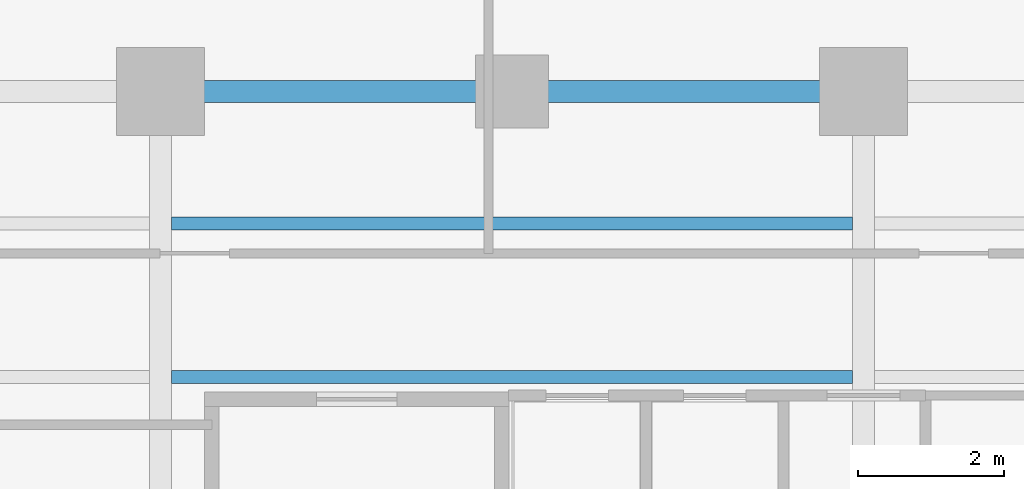
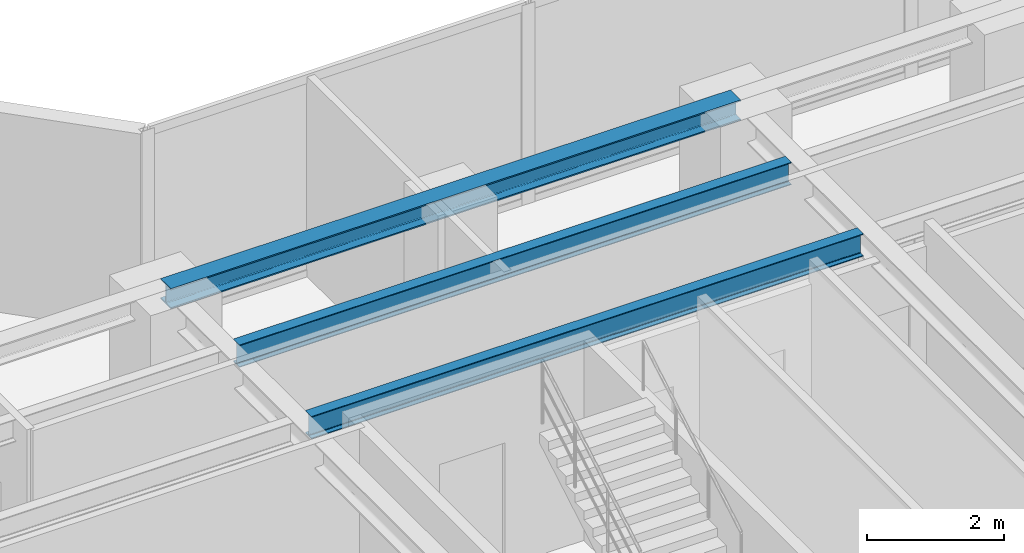
# One storey, part 5 of 26: 3 beams.
"""IFC4 building model written with IfcOpenShell, lengths in metres."""

from ifc_helpers import new_model, si_unit, direction, frame, origin, origin_2d, place, context, subcontext, project, spatial, i_section, extrude, material, material_profile, profile_set, type_object, element, save


model = new_model("IFC4")

# Units and contexts
model_context = context("Model", 3, precision=1e-05, world=origin(), true_north=direction((0.0, 1.0)))
body_context = subcontext(model_context, "Body", "Model", "MODEL_VIEW")
ifc_project = project(units=[si_unit("LENGTHUNIT", "METRE"), si_unit("AREAUNIT", "SQUARE_METRE"), si_unit("VOLUMEUNIT", "CUBIC_METRE"), si_unit("PLANEANGLEUNIT", "RADIAN"), si_unit("MASSUNIT", "GRAM", prefix="KILO")], contexts=[model_context])

# Site, building, storey
site_placement = place(None, origin())
site = spatial("IfcSite", under=ifc_project, at=site_placement, CompositionType="ELEMENT")
building_placement = place(site_placement, origin())
building = spatial("IfcBuilding", under=site, at=building_placement, Name="Kolvaren Waterfront Exchange", CompositionType="ELEMENT")
storey_placement = place(building_placement, frame((0.0, 0.0, 165.199951171875)))
storey = spatial("IfcBuildingStorey", under=building, at=storey_placement, Name="L42", CompositionType="ELEMENT", Elevation=165.199951171875)

# Beams
ifc_material = material(Name="Steel S355", Category="steel")
ifc_material_profile_1 = material_profile(ifc_material, i_section(OverallWidth=0.300048828125, OverallDepth=0.360107421875, WebThickness=0.012451171875, FlangeThickness=0.0224609375, FilletRadius=0.027099609375, at=origin_2d()), Name="HEB360")
ifc_profile_set_1 = profile_set([ifc_material_profile_1], Name="Steel S355")
beam_type_1 = type_object("IfcBeamType", Name="STR-BM-HEB360", PredefinedType="SPANDREL", material=ifc_profile_set_1)
beam_placement = place(storey_placement, frame((27.199951171875, 17.39990234375, 3.380126953125), z_axis=(1.0, 0.0, 0.0), x_axis=(0.0, 1.0, 0.0)))
element("IfcBeam", 1, at=beam_placement, inside=storey, type_object=beam_type_1, Name="L42 east-arm spandrel N2", PredefinedType="SPANDREL", context=body_context, shape_type="SweptSolid", body=[
    extrude(i_section(OverallWidth=0.300048828125, OverallDepth=0.360107421875, WebThickness=0.012451171875, FlangeThickness=0.0224609375, FilletRadius=0.027099609375, at=origin_2d()), origin(), (0.0, 0.0, 1.0), 9.60009765625),
])
ifc_material_profile_2 = material_profile(ifc_material, i_section(OverallWidth=0.179931640625, OverallDepth=0.39990234375, WebThickness=0.008544921875, FlangeThickness=0.013427734375, FilletRadius=0.02099609375, at=origin_2d()), Name="IPE400")
ifc_profile_set_2 = profile_set([ifc_material_profile_2], Name="Steel S355")
beam_type_2 = type_object("IfcBeamType", Name="STR-BM-IPE400", PredefinedType="JOIST", material=ifc_profile_set_2)
for number, where, z_axis, x_axis, name in (
    (2, (27.35205078125, 13.5, 3.360107421875), (1.0, 0.0, 0.0), (0.0, 1.0, 0.0), "L42 east-arm composite joist 2A"),
    (3, (27.35205078125, 15.60009765625, 3.360107421875), (1.0, 0.0, 0.0), (0.0, 1.0, 0.0), "L42 east-arm composite joist 2C"),
):
    element("IfcBeam", number, at=place(storey_placement, frame(where, z_axis=z_axis, x_axis=x_axis)), inside=storey, type_object=beam_type_2, Name=name, PredefinedType="JOIST", context=body_context, shape_type="SweptSolid", body=[
        extrude(i_section(OverallWidth=0.179931640625, OverallDepth=0.39990234375, WebThickness=0.008544921875, FlangeThickness=0.013427734375, FilletRadius=0.02099609375, at=origin_2d()), origin(), (0.0, 0.0, 1.0), 9.2958984375),
    ])

save(model, "model.ifc")
